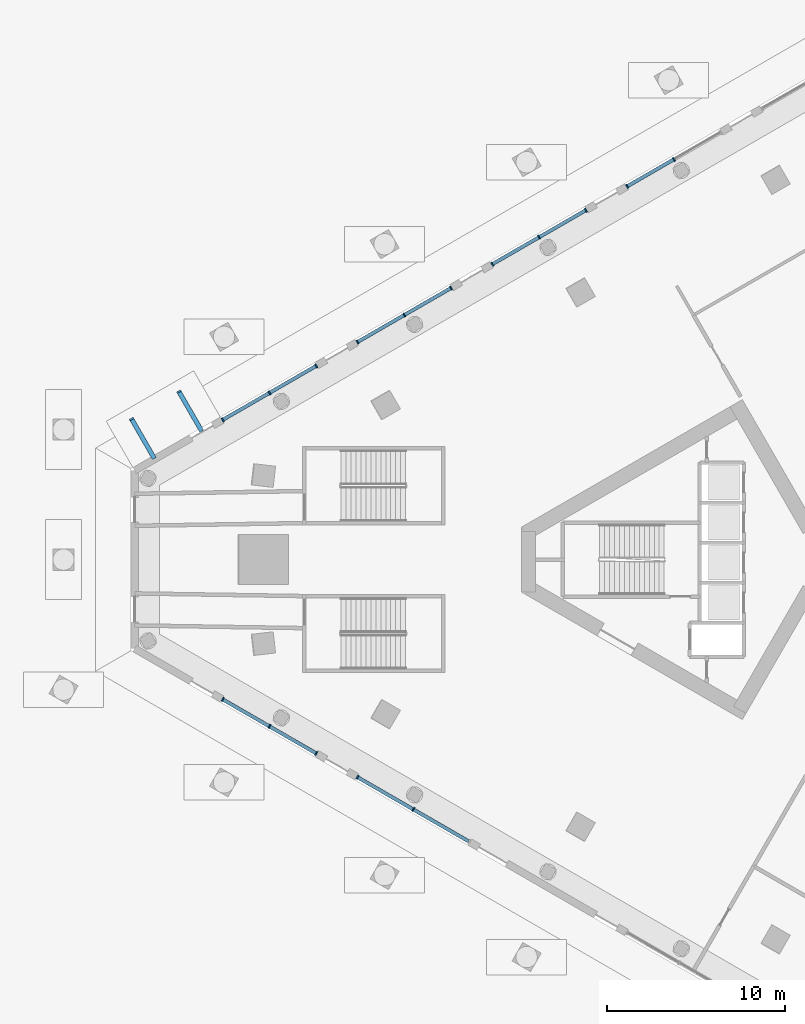
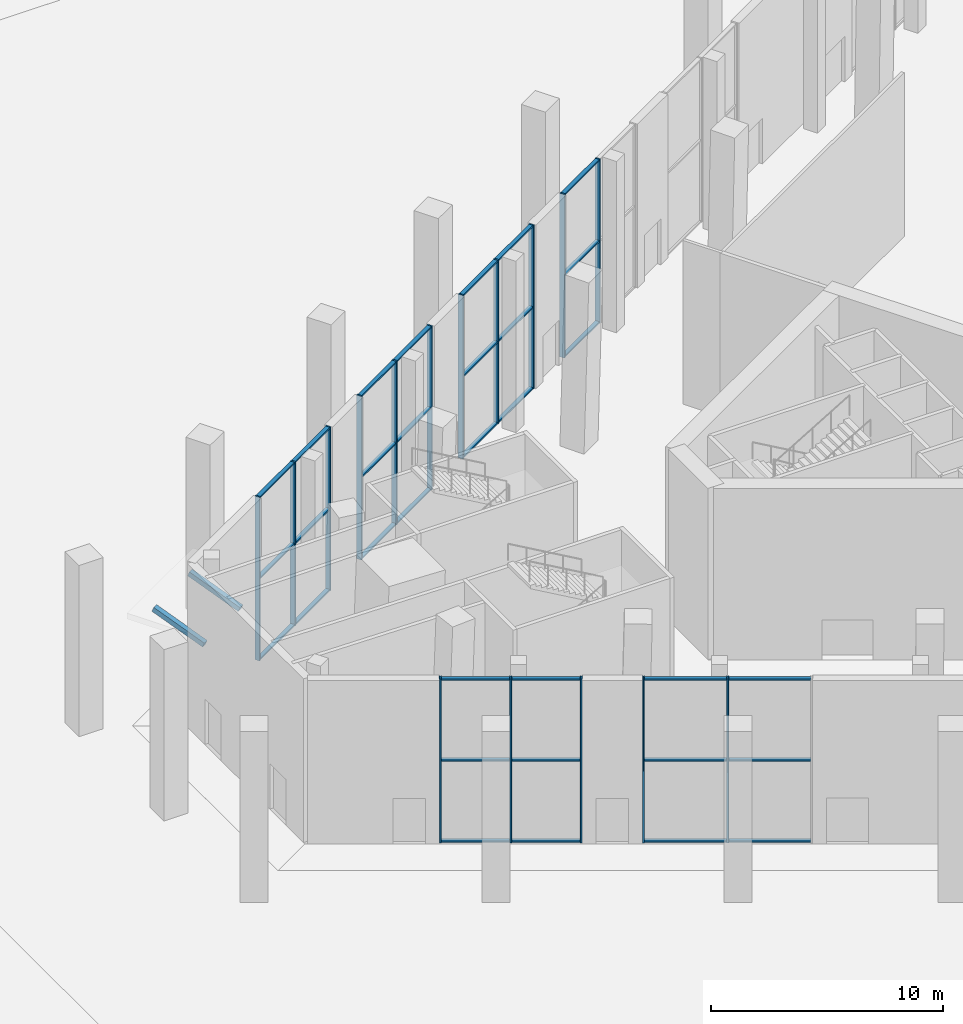
# One storey, part 11 of 63: 51 members, 6 elements without a shape of their own.
"""IFC4 building model written with IfcOpenShell, lengths in metres."""

from ifc_helpers import new_model, si_unit, direction, frame, origin, origin_2d, place, context, subcontext, project, spatial, rectangle, extrude, material, layer, layer_set, material_profile, profile_set, type_object, element, aggregate, save


model = new_model("IFC4")

# Units and contexts
model_context = context("Model", 3, precision=1e-05, world=origin(), true_north=direction((0.0, 1.0)))
body_context = subcontext(model_context, "Body", "Model", "MODEL_VIEW")
ifc_project = project(units=[si_unit("LENGTHUNIT", "METRE"), si_unit("AREAUNIT", "SQUARE_METRE"), si_unit("VOLUMEUNIT", "CUBIC_METRE"), si_unit("PLANEANGLEUNIT", "RADIAN"), si_unit("MASSUNIT", "GRAM", prefix="KILO")], contexts=[model_context])

# Site, building, storey
site_placement = place(None, origin())
site = spatial("IfcSite", under=ifc_project, at=site_placement, CompositionType="ELEMENT")
building_placement = place(site_placement, origin())
building = spatial("IfcBuilding", under=site, at=building_placement, Name="Jabali Bay Hotel Tower and Convention Centre", CompositionType="ELEMENT")
storey_placement = place(building_placement, origin())
storey = spatial("IfcBuildingStorey", under=building, at=storey_placement, Name="L00", CompositionType="ELEMENT", Elevation=0.0)

# Curtain wall, members
ifc_material_1 = material(Name="Aluminium and glass", Category="aluminium")
ifc_layer = layer(ifc_material_1, 0.239990234375)
ifc_layer_set = layer_set([ifc_layer], Name="Aluminium and glass")
curtain_wall_type = type_object("IfcCurtainWallType", Name="CW2 curtain wall", PredefinedType="NOTDEFINED", material=ifc_layer_set)
curtain_wall_1_placement = place(storey_placement, origin())
curtain_wall_1 = element("IfcCurtainWall", 1, at=curtain_wall_1_placement, inside=storey, type_object=curtain_wall_type, Name="CW2 curtain wall north-west face L00", PredefinedType="NOTDEFINED")
ifc_material_2 = material(Name="Aluminium", Category="aluminium")
ifc_material_profile_1 = material_profile(ifc_material_2, rectangle(XDim=0.239990234375, YDim=0.080078125, at=origin_2d()), Name="CW2 mullion 80 x 240")
ifc_profile_set_1 = profile_set([ifc_material_profile_1], Name="Aluminium")
member_type_1 = type_object("IfcMemberType", Name="CW2 mullion 80 x 240", PredefinedType="MULLION", material=ifc_profile_set_1)
member_1_placement = place(storey_placement, frame((54.3349609375, 100.97802734375, 0.0), z_axis=(0.0, 0.0, 1.0), x_axis=(-0.499999999441, 0.866025404107, 0.0)))
member_1 = element("IfcMember", 2, at=member_1_placement, type_object=member_type_1, Name="CW2 mullion 1", PredefinedType="MULLION", context=body_context, shape_type="SweptSolid", body=[
    extrude(rectangle(XDim=0.239990234375, YDim=0.080078125, at=origin_2d()), origin(), (0.0, 0.0, 1.0), 8.60009765625),
])
member_2_placement = place(storey_placement, frame((56.962158203125, 102.494873046875, 0.0), z_axis=(0.0, 0.0, 1.0), x_axis=(-0.499999999441, 0.866025404107, 0.0)))
member_2 = element("IfcMember", 3, at=member_2_placement, type_object=member_type_1, Name="CW2 mullion 2", PredefinedType="MULLION", context=body_context, shape_type="SweptSolid", body=[
    extrude(rectangle(XDim=0.239990234375, YDim=0.080078125, at=origin_2d()), origin(), (0.0, 0.0, 1.0), 8.60009765625),
])

curtain_wall_2_placement = place(storey_placement, origin())
curtain_wall_2 = element("IfcCurtainWall", 4, at=curtain_wall_2_placement, inside=storey, type_object=curtain_wall_type, Name="CW2 curtain wall north-west face L00", PredefinedType="NOTDEFINED")
member_3_placement = place(storey_placement, frame((46.759521484375, 96.604248046875, 0.0), z_axis=(0.0, 0.0, 1.0), x_axis=(-0.499999999441, 0.866025404107, 0.0)))
member_3 = element("IfcMember", 5, at=member_3_placement, type_object=member_type_1, Name="CW2 mullion 1", PredefinedType="MULLION", context=body_context, shape_type="SweptSolid", body=[
    extrude(rectangle(XDim=0.239990234375, YDim=0.080078125, at=origin_2d()), origin(), (0.0, 0.0, 1.0), 8.60009765625),
])
member_4_placement = place(storey_placement, frame((49.38671875, 98.12109375, 0.0), z_axis=(0.0, 0.0, 1.0), x_axis=(-0.499999999441, 0.866025404107, 0.0)))
member_4 = element("IfcMember", 6, at=member_4_placement, type_object=member_type_1, Name="CW2 mullion 2", PredefinedType="MULLION", context=body_context, shape_type="SweptSolid", body=[
    extrude(rectangle(XDim=0.239990234375, YDim=0.080078125, at=origin_2d()), origin(), (0.0, 0.0, 1.0), 8.60009765625),
])
member_5_placement = place(storey_placement, frame((52.013916015625, 99.637939453125, 0.0), z_axis=(0.0, 0.0, 1.0), x_axis=(-0.499999999441, 0.866025404107, 0.0)))
member_5 = element("IfcMember", 7, at=member_5_placement, type_object=member_type_1, Name="CW2 mullion 3", PredefinedType="MULLION", context=body_context, shape_type="SweptSolid", body=[
    extrude(rectangle(XDim=0.239990234375, YDim=0.080078125, at=origin_2d()), origin(), (0.0, 0.0, 1.0), 8.60009765625),
])

curtain_wall_3_placement = place(storey_placement, origin())
curtain_wall_3 = element("IfcCurtainWall", 8, at=curtain_wall_3_placement, inside=storey, type_object=curtain_wall_type, Name="CW2 curtain wall north-west face L00", PredefinedType="NOTDEFINED")
member_6_placement = place(storey_placement, frame((39.18408203125, 92.23046875, 0.0), z_axis=(0.0, 0.0, 1.0), x_axis=(-0.499999999441, 0.866025404107, 0.0)))
member_6 = element("IfcMember", 9, at=member_6_placement, type_object=member_type_1, Name="CW2 mullion 1", PredefinedType="MULLION", context=body_context, shape_type="SweptSolid", body=[
    extrude(rectangle(XDim=0.239990234375, YDim=0.080078125, at=origin_2d()), origin(), (0.0, 0.0, 1.0), 8.60009765625),
])
member_7_placement = place(storey_placement, frame((41.811279296875, 93.747314453125, 0.0), z_axis=(0.0, 0.0, 1.0), x_axis=(-0.499999999441, 0.866025404107, 0.0)))
member_7 = element("IfcMember", 10, at=member_7_placement, type_object=member_type_1, Name="CW2 mullion 2", PredefinedType="MULLION", context=body_context, shape_type="SweptSolid", body=[
    extrude(rectangle(XDim=0.239990234375, YDim=0.080078125, at=origin_2d()), origin(), (0.0, 0.0, 1.0), 8.60009765625),
])
member_8_placement = place(storey_placement, frame((44.4384765625, 95.264404296875, 0.0), z_axis=(0.0, 0.0, 1.0), x_axis=(-0.499999999441, 0.866025404107, 0.0)))
member_8 = element("IfcMember", 11, at=member_8_placement, type_object=member_type_1, Name="CW2 mullion 3", PredefinedType="MULLION", context=body_context, shape_type="SweptSolid", body=[
    extrude(rectangle(XDim=0.239990234375, YDim=0.080078125, at=origin_2d()), origin(), (0.0, 0.0, 1.0), 8.60009765625),
])

curtain_wall_4_placement = place(storey_placement, origin())
curtain_wall_4 = element("IfcCurtainWall", 12, at=curtain_wall_4_placement, inside=storey, type_object=curtain_wall_type, Name="CW2 curtain wall north-west face L00", PredefinedType="NOTDEFINED")
member_9_placement = place(storey_placement, frame((31.6083984375, 87.85693359375, 0.0), z_axis=(0.0, 0.0, 1.0), x_axis=(-0.499999999441, 0.866025404107, 0.0)))
member_9 = element("IfcMember", 13, at=member_9_placement, type_object=member_type_1, Name="CW2 mullion 1", PredefinedType="MULLION", context=body_context, shape_type="SweptSolid", body=[
    extrude(rectangle(XDim=0.239990234375, YDim=0.080078125, at=origin_2d()), origin(), (0.0, 0.0, 1.0), 8.60009765625),
])
member_10_placement = place(storey_placement, frame((34.23583984375, 89.373779296875, 0.0), z_axis=(0.0, 0.0, 1.0), x_axis=(-0.499999999441, 0.866025404107, 0.0)))
member_10 = element("IfcMember", 14, at=member_10_placement, type_object=member_type_1, Name="CW2 mullion 2", PredefinedType="MULLION", context=body_context, shape_type="SweptSolid", body=[
    extrude(rectangle(XDim=0.239990234375, YDim=0.080078125, at=origin_2d()), origin(), (0.0, 0.0, 1.0), 8.60009765625),
])
member_11_placement = place(storey_placement, frame((36.863037109375, 90.890625, 0.0), z_axis=(0.0, 0.0, 1.0), x_axis=(-0.499999999441, 0.866025404107, 0.0)))
member_11 = element("IfcMember", 15, at=member_11_placement, type_object=member_type_1, Name="CW2 mullion 3", PredefinedType="MULLION", context=body_context, shape_type="SweptSolid", body=[
    extrude(rectangle(XDim=0.239990234375, YDim=0.080078125, at=origin_2d()), origin(), (0.0, 0.0, 1.0), 8.60009765625),
])

curtain_wall_5_placement = place(storey_placement, origin())
curtain_wall_5 = element("IfcCurtainWall", 16, at=curtain_wall_5_placement, inside=storey, type_object=curtain_wall_type, Name="CW2 curtain wall south-west face L00", PredefinedType="NOTDEFINED")
member_12_placement = place(storey_placement, frame((36.863037109375, 69.109375, 0.0), z_axis=(0.0, 0.0, 1.0), x_axis=(-0.499999999441, -0.866025404107, 0.0)))
member_12 = element("IfcMember", 17, at=member_12_placement, type_object=member_type_1, Name="CW2 mullion 1", PredefinedType="MULLION", context=body_context, shape_type="SweptSolid", body=[
    extrude(rectangle(XDim=0.239990234375, YDim=0.080078125, at=origin_2d()), origin(), (0.0, 0.0, 1.0), 8.60009765625),
])
member_13_placement = place(storey_placement, frame((34.23583984375, 70.626220703125, 0.0), z_axis=(0.0, 0.0, 1.0), x_axis=(-0.499999999441, -0.866025404107, 0.0)))
member_13 = element("IfcMember", 18, at=member_13_placement, type_object=member_type_1, Name="CW2 mullion 2", PredefinedType="MULLION", context=body_context, shape_type="SweptSolid", body=[
    extrude(rectangle(XDim=0.239990234375, YDim=0.080078125, at=origin_2d()), origin(), (0.0, 0.0, 1.0), 8.60009765625),
])
member_14_placement = place(storey_placement, frame((31.6083984375, 72.14306640625, 0.0), z_axis=(0.0, 0.0, 1.0), x_axis=(-0.499999999441, -0.866025404107, 0.0)))
member_14 = element("IfcMember", 19, at=member_14_placement, type_object=member_type_1, Name="CW2 mullion 3", PredefinedType="MULLION", context=body_context, shape_type="SweptSolid", body=[
    extrude(rectangle(XDim=0.239990234375, YDim=0.080078125, at=origin_2d()), origin(), (0.0, 0.0, 1.0), 8.60009765625),
])

curtain_wall_6_placement = place(storey_placement, origin())
curtain_wall_6 = element("IfcCurtainWall", 20, at=curtain_wall_6_placement, inside=storey, type_object=curtain_wall_type, Name="CW2 curtain wall south-west face L00", PredefinedType="NOTDEFINED")
member_15_placement = place(storey_placement, frame((42.320068359375, 65.958740234375, 0.0), z_axis=(0.0, 0.0, 1.0), x_axis=(-0.499999999441, -0.866025404107, 0.0)))
member_15 = element("IfcMember", 21, at=member_15_placement, type_object=member_type_1, Name="CW2 mullion 2", PredefinedType="MULLION", context=body_context, shape_type="SweptSolid", body=[
    extrude(rectangle(XDim=0.239990234375, YDim=0.080078125, at=origin_2d()), origin(), (0.0, 0.0, 1.0), 8.60009765625),
])
member_16_placement = place(storey_placement, frame((39.18408203125, 67.76953125, 0.0), z_axis=(0.0, 0.0, 1.0), x_axis=(-0.499999999441, -0.866025404107, 0.0)))
member_16 = element("IfcMember", 22, at=member_16_placement, type_object=member_type_1, Name="CW2 mullion 3", PredefinedType="MULLION", context=body_context, shape_type="SweptSolid", body=[
    extrude(rectangle(XDim=0.239990234375, YDim=0.080078125, at=origin_2d()), origin(), (0.0, 0.0, 1.0), 8.60009765625),
])

# Member
ifc_material_profile_2 = material_profile(ifc_material_2, rectangle(XDim=0.199951171875, YDim=0.080078125, at=origin_2d()), Name="CW2 transom 80 x 200")
ifc_profile_set_2 = profile_set([ifc_material_profile_2], Name="Aluminium")
member_type_2 = type_object("IfcMemberType", Name="CW2 transom 80 x 200", PredefinedType="USERDEFINED", material=ifc_profile_set_2)
member_17_placement = place(storey_placement, frame((54.36962890625, 100.998046875, 0.0400390625), z_axis=(0.866021780494, 0.500006275671, 0.0), x_axis=(-0.500006275671, 0.866021780494, 0.0)))
member_17 = element("IfcMember", 23, at=member_17_placement, type_object=member_type_2, Name="CW2 transom 1.1", ObjectType="TRANSOM", PredefinedType="USERDEFINED", context=body_context, shape_type="SweptSolid", body=[
    extrude(rectangle(XDim=0.199951171875, YDim=0.080078125, at=origin_2d()), origin(), (0.0, 0.0, 1.0), 2.95361328125),
])

member_18_placement = place(storey_placement, frame((54.36962890625, 100.998046875, 4.300048828125), z_axis=(0.866021780494, 0.500006275671, 0.0), x_axis=(-0.500006275671, 0.866021780494, 0.0)))
member_18 = element("IfcMember", 24, at=member_18_placement, type_object=member_type_2, Name="CW2 transom 1.2", ObjectType="TRANSOM", PredefinedType="USERDEFINED", context=body_context, shape_type="SweptSolid", body=[
    extrude(rectangle(XDim=0.199951171875, YDim=0.080078125, at=origin_2d()), origin(), (0.0, 0.0, 1.0), 2.95361328125),
])

member_19_placement = place(storey_placement, frame((54.36962890625, 100.998046875, 8.56005859375), z_axis=(0.866021780494, 0.500006275671, 0.0), x_axis=(-0.500006275671, 0.866021780494, 0.0)))
member_19 = element("IfcMember", 25, at=member_19_placement, type_object=member_type_2, Name="CW2 transom 1.3", ObjectType="TRANSOM", PredefinedType="USERDEFINED", context=body_context, shape_type="SweptSolid", body=[
    extrude(rectangle(XDim=0.199951171875, YDim=0.080078125, at=origin_2d()), origin(), (0.0, 0.0, 1.0), 2.95361328125),
])

aggregate(curtain_wall_1, [member_1, member_2, member_17, member_18, member_19])

member_20_placement = place(storey_placement, frame((46.794189453125, 96.624267578125, 0.0400390625), z_axis=(0.866021780494, 0.500006275671, 0.0), x_axis=(-0.500006275671, 0.866021780494, 0.0)))
member_20 = element("IfcMember", 26, at=member_20_placement, type_object=member_type_2, Name="CW2 transom 1.1", ObjectType="TRANSOM", PredefinedType="USERDEFINED", context=body_context, shape_type="SweptSolid", body=[
    extrude(rectangle(XDim=0.199951171875, YDim=0.080078125, at=origin_2d()), origin(), (0.0, 0.0, 1.0), 2.95361328125),
])

member_21_placement = place(storey_placement, frame((46.794189453125, 96.624267578125, 4.300048828125), z_axis=(0.866021780494, 0.500006275671, 0.0), x_axis=(-0.500006275671, 0.866021780494, 0.0)))
member_21 = element("IfcMember", 27, at=member_21_placement, type_object=member_type_2, Name="CW2 transom 1.2", ObjectType="TRANSOM", PredefinedType="USERDEFINED", context=body_context, shape_type="SweptSolid", body=[
    extrude(rectangle(XDim=0.199951171875, YDim=0.080078125, at=origin_2d()), origin(), (0.0, 0.0, 1.0), 2.95361328125),
])

member_22_placement = place(storey_placement, frame((46.794189453125, 96.624267578125, 8.56005859375), z_axis=(0.866021780494, 0.500006275671, 0.0), x_axis=(-0.500006275671, 0.866021780494, 0.0)))
member_22 = element("IfcMember", 28, at=member_22_placement, type_object=member_type_2, Name="CW2 transom 1.3", ObjectType="TRANSOM", PredefinedType="USERDEFINED", context=body_context, shape_type="SweptSolid", body=[
    extrude(rectangle(XDim=0.199951171875, YDim=0.080078125, at=origin_2d()), origin(), (0.0, 0.0, 1.0), 2.95361328125),
])

member_23_placement = place(storey_placement, frame((49.42138671875, 98.14111328125, 0.0400390625), z_axis=(0.866042443626, 0.499970484968, 0.0), x_axis=(-0.499970484968, 0.866042443626, 0.0)))
member_23 = element("IfcMember", 29, at=member_23_placement, type_object=member_type_2, Name="CW2 transom 2.1", ObjectType="TRANSOM", PredefinedType="USERDEFINED", context=body_context, shape_type="SweptSolid", body=[
    extrude(rectangle(XDim=0.199951171875, YDim=0.080078125, at=origin_2d()), origin(), (0.0, 0.0, 1.0), 2.953857421875),
])

member_24_placement = place(storey_placement, frame((49.42138671875, 98.14111328125, 4.300048828125), z_axis=(0.866042443626, 0.499970484968, 0.0), x_axis=(-0.499970484968, 0.866042443626, 0.0)))
member_24 = element("IfcMember", 30, at=member_24_placement, type_object=member_type_2, Name="CW2 transom 2.2", ObjectType="TRANSOM", PredefinedType="USERDEFINED", context=body_context, shape_type="SweptSolid", body=[
    extrude(rectangle(XDim=0.199951171875, YDim=0.080078125, at=origin_2d()), origin(), (0.0, 0.0, 1.0), 2.953857421875),
])

member_25_placement = place(storey_placement, frame((49.42138671875, 98.14111328125, 8.56005859375), z_axis=(0.866042443626, 0.499970484968, 0.0), x_axis=(-0.499970484968, 0.866042443626, 0.0)))
member_25 = element("IfcMember", 31, at=member_25_placement, type_object=member_type_2, Name="CW2 transom 2.3", ObjectType="TRANSOM", PredefinedType="USERDEFINED", context=body_context, shape_type="SweptSolid", body=[
    extrude(rectangle(XDim=0.199951171875, YDim=0.080078125, at=origin_2d()), origin(), (0.0, 0.0, 1.0), 2.953857421875),
])

aggregate(curtain_wall_2, [member_3, member_4, member_5, member_20, member_21, member_22, member_23, member_24, member_25])

member_26_placement = place(storey_placement, frame((39.218505859375, 92.25048828125, 0.0400390625), z_axis=(0.866006654318, 0.500032473623, 0.0), x_axis=(-0.500032473623, 0.866006654318, 0.0)))
member_26 = element("IfcMember", 32, at=member_26_placement, type_object=member_type_2, Name="CW2 transom 1.1", ObjectType="TRANSOM", PredefinedType="USERDEFINED", context=body_context, shape_type="SweptSolid", body=[
    extrude(rectangle(XDim=0.199951171875, YDim=0.080078125, at=origin_2d()), origin(), (0.0, 0.0, 1.0), 2.953857421875),
])

member_27_placement = place(storey_placement, frame((39.218505859375, 92.25048828125, 4.300048828125), z_axis=(0.866006654318, 0.500032473623, 0.0), x_axis=(-0.500032473623, 0.866006654318, 0.0)))
member_27 = element("IfcMember", 33, at=member_27_placement, type_object=member_type_2, Name="CW2 transom 1.2", ObjectType="TRANSOM", PredefinedType="USERDEFINED", context=body_context, shape_type="SweptSolid", body=[
    extrude(rectangle(XDim=0.199951171875, YDim=0.080078125, at=origin_2d()), origin(), (0.0, 0.0, 1.0), 2.953857421875),
])

member_28_placement = place(storey_placement, frame((39.218505859375, 92.25048828125, 8.56005859375), z_axis=(0.866006654318, 0.500032473623, 0.0), x_axis=(-0.500032473623, 0.866006654318, 0.0)))
member_28 = element("IfcMember", 34, at=member_28_placement, type_object=member_type_2, Name="CW2 transom 1.3", ObjectType="TRANSOM", PredefinedType="USERDEFINED", context=body_context, shape_type="SweptSolid", body=[
    extrude(rectangle(XDim=0.199951171875, YDim=0.080078125, at=origin_2d()), origin(), (0.0, 0.0, 1.0), 2.953857421875),
])

member_29_placement = place(storey_placement, frame((41.845947265625, 93.767333984375, 0.0400390625), z_axis=(0.865985986916, 0.500068265805, 0.0), x_axis=(-0.500068265805, 0.865985986916, 0.0)))
member_29 = element("IfcMember", 35, at=member_29_placement, type_object=member_type_2, Name="CW2 transom 2.1", ObjectType="TRANSOM", PredefinedType="USERDEFINED", context=body_context, shape_type="SweptSolid", body=[
    extrude(rectangle(XDim=0.199951171875, YDim=0.080078125, at=origin_2d()), origin(), (0.0, 0.0, 1.0), 2.95361328125),
])

member_30_placement = place(storey_placement, frame((41.845947265625, 93.767333984375, 4.300048828125), z_axis=(0.865985986916, 0.500068265805, 0.0), x_axis=(-0.500068265805, 0.865985986916, 0.0)))
member_30 = element("IfcMember", 36, at=member_30_placement, type_object=member_type_2, Name="CW2 transom 2.2", ObjectType="TRANSOM", PredefinedType="USERDEFINED", context=body_context, shape_type="SweptSolid", body=[
    extrude(rectangle(XDim=0.199951171875, YDim=0.080078125, at=origin_2d()), origin(), (0.0, 0.0, 1.0), 2.95361328125),
])

member_31_placement = place(storey_placement, frame((41.845947265625, 93.767333984375, 8.56005859375), z_axis=(0.865985986916, 0.500068265805, 0.0), x_axis=(-0.500068265805, 0.865985986916, 0.0)))
member_31 = element("IfcMember", 37, at=member_31_placement, type_object=member_type_2, Name="CW2 transom 2.3", ObjectType="TRANSOM", PredefinedType="USERDEFINED", context=body_context, shape_type="SweptSolid", body=[
    extrude(rectangle(XDim=0.199951171875, YDim=0.080078125, at=origin_2d()), origin(), (0.0, 0.0, 1.0), 2.95361328125),
])

aggregate(curtain_wall_3, [member_6, member_7, member_8, member_26, member_27, member_28, member_29, member_30, member_31])

member_32_placement = place(storey_placement, frame((31.64306640625, 87.876953125, 0.0400390625), z_axis=(0.866042443626, 0.499970484968, 0.0), x_axis=(-0.499970484968, 0.866042443626, 0.0)))
member_32 = element("IfcMember", 38, at=member_32_placement, type_object=member_type_2, Name="CW2 transom 1.1", ObjectType="TRANSOM", PredefinedType="USERDEFINED", context=body_context, shape_type="SweptSolid", body=[
    extrude(rectangle(XDim=0.199951171875, YDim=0.080078125, at=origin_2d()), origin(), (0.0, 0.0, 1.0), 2.953857421875),
])

member_33_placement = place(storey_placement, frame((31.64306640625, 87.876953125, 4.300048828125), z_axis=(0.866042443626, 0.499970484968, 0.0), x_axis=(-0.499970484968, 0.866042443626, 0.0)))
member_33 = element("IfcMember", 39, at=member_33_placement, type_object=member_type_2, Name="CW2 transom 1.2", ObjectType="TRANSOM", PredefinedType="USERDEFINED", context=body_context, shape_type="SweptSolid", body=[
    extrude(rectangle(XDim=0.199951171875, YDim=0.080078125, at=origin_2d()), origin(), (0.0, 0.0, 1.0), 2.953857421875),
])

member_34_placement = place(storey_placement, frame((31.64306640625, 87.876953125, 8.56005859375), z_axis=(0.866042443626, 0.499970484968, 0.0), x_axis=(-0.499970484968, 0.866042443626, 0.0)))
member_34 = element("IfcMember", 40, at=member_34_placement, type_object=member_type_2, Name="CW2 transom 1.3", ObjectType="TRANSOM", PredefinedType="USERDEFINED", context=body_context, shape_type="SweptSolid", body=[
    extrude(rectangle(XDim=0.199951171875, YDim=0.080078125, at=origin_2d()), origin(), (0.0, 0.0, 1.0), 2.953857421875),
])

member_35_placement = place(storey_placement, frame((34.2705078125, 89.393798828125, 0.0400390625), z_axis=(0.866021780494, 0.500006275671, 0.0), x_axis=(-0.500006275671, 0.866021780494, 0.0)))
member_35 = element("IfcMember", 41, at=member_35_placement, type_object=member_type_2, Name="CW2 transom 2.1", ObjectType="TRANSOM", PredefinedType="USERDEFINED", context=body_context, shape_type="SweptSolid", body=[
    extrude(rectangle(XDim=0.199951171875, YDim=0.080078125, at=origin_2d()), origin(), (0.0, 0.0, 1.0), 2.95361328125),
])

member_36_placement = place(storey_placement, frame((34.2705078125, 89.393798828125, 4.300048828125), z_axis=(0.866021780494, 0.500006275671, 0.0), x_axis=(-0.500006275671, 0.866021780494, 0.0)))
member_36 = element("IfcMember", 42, at=member_36_placement, type_object=member_type_2, Name="CW2 transom 2.2", ObjectType="TRANSOM", PredefinedType="USERDEFINED", context=body_context, shape_type="SweptSolid", body=[
    extrude(rectangle(XDim=0.199951171875, YDim=0.080078125, at=origin_2d()), origin(), (0.0, 0.0, 1.0), 2.95361328125),
])

member_37_placement = place(storey_placement, frame((34.2705078125, 89.393798828125, 8.56005859375), z_axis=(0.866021780494, 0.500006275671, 0.0), x_axis=(-0.500006275671, 0.866021780494, 0.0)))
member_37 = element("IfcMember", 43, at=member_37_placement, type_object=member_type_2, Name="CW2 transom 2.3", ObjectType="TRANSOM", PredefinedType="USERDEFINED", context=body_context, shape_type="SweptSolid", body=[
    extrude(rectangle(XDim=0.199951171875, YDim=0.080078125, at=origin_2d()), origin(), (0.0, 0.0, 1.0), 2.95361328125),
])

aggregate(curtain_wall_4, [member_9, member_10, member_11, member_32, member_33, member_34, member_35, member_36, member_37])

member_38_placement = place(storey_placement, frame((36.828369140625, 69.12939453125, 0.0400390625), z_axis=(-0.866021780494, 0.500006275671, 0.0), x_axis=(-0.500006275671, -0.866021780494, 0.0)))
member_38 = element("IfcMember", 44, at=member_38_placement, type_object=member_type_2, Name="CW2 transom 1.1", ObjectType="TRANSOM", PredefinedType="USERDEFINED", context=body_context, shape_type="SweptSolid", body=[
    extrude(rectangle(XDim=0.199951171875, YDim=0.080078125, at=origin_2d()), origin(), (0.0, 0.0, 1.0), 2.95361328125),
])

member_39_placement = place(storey_placement, frame((36.828369140625, 69.12939453125, 4.300048828125), z_axis=(-0.866021780494, 0.500006275671, 0.0), x_axis=(-0.500006275671, -0.866021780494, 0.0)))
member_39 = element("IfcMember", 45, at=member_39_placement, type_object=member_type_2, Name="CW2 transom 1.2", ObjectType="TRANSOM", PredefinedType="USERDEFINED", context=body_context, shape_type="SweptSolid", body=[
    extrude(rectangle(XDim=0.199951171875, YDim=0.080078125, at=origin_2d()), origin(), (0.0, 0.0, 1.0), 2.95361328125),
])

member_40_placement = place(storey_placement, frame((36.828369140625, 69.12939453125, 8.56005859375), z_axis=(-0.866021780494, 0.500006275671, 0.0), x_axis=(-0.500006275671, -0.866021780494, 0.0)))
member_40 = element("IfcMember", 46, at=member_40_placement, type_object=member_type_2, Name="CW2 transom 1.3", ObjectType="TRANSOM", PredefinedType="USERDEFINED", context=body_context, shape_type="SweptSolid", body=[
    extrude(rectangle(XDim=0.199951171875, YDim=0.080078125, at=origin_2d()), origin(), (0.0, 0.0, 1.0), 2.95361328125),
])

member_41_placement = place(storey_placement, frame((34.201171875, 70.646240234375, 0.0400390625), z_axis=(-0.866042443626, 0.499970484968, 0.0), x_axis=(-0.499970484968, -0.866042443626, 0.0)))
member_41 = element("IfcMember", 47, at=member_41_placement, type_object=member_type_2, Name="CW2 transom 2.1", ObjectType="TRANSOM", PredefinedType="USERDEFINED", context=body_context, shape_type="SweptSolid", body=[
    extrude(rectangle(XDim=0.199951171875, YDim=0.080078125, at=origin_2d()), origin(), (0.0, 0.0, 1.0), 2.953857421875),
])

member_42_placement = place(storey_placement, frame((34.201171875, 70.646240234375, 4.300048828125), z_axis=(-0.866042443626, 0.499970484968, 0.0), x_axis=(-0.499970484968, -0.866042443626, 0.0)))
member_42 = element("IfcMember", 48, at=member_42_placement, type_object=member_type_2, Name="CW2 transom 2.2", ObjectType="TRANSOM", PredefinedType="USERDEFINED", context=body_context, shape_type="SweptSolid", body=[
    extrude(rectangle(XDim=0.199951171875, YDim=0.080078125, at=origin_2d()), origin(), (0.0, 0.0, 1.0), 2.953857421875),
])

member_43_placement = place(storey_placement, frame((34.201171875, 70.646240234375, 8.56005859375), z_axis=(-0.866042443626, 0.499970484968, 0.0), x_axis=(-0.499970484968, -0.866042443626, 0.0)))
member_43 = element("IfcMember", 49, at=member_43_placement, type_object=member_type_2, Name="CW2 transom 2.3", ObjectType="TRANSOM", PredefinedType="USERDEFINED", context=body_context, shape_type="SweptSolid", body=[
    extrude(rectangle(XDim=0.199951171875, YDim=0.080078125, at=origin_2d()), origin(), (0.0, 0.0, 1.0), 2.953857421875),
])

aggregate(curtain_wall_5, [member_12, member_13, member_14, member_38, member_39, member_40, member_41, member_42, member_43])

member_44_placement = place(storey_placement, frame((45.421630859375, 64.16796875, 0.0400390625), z_axis=(-0.866015674434, 0.500016851351, 0.0), x_axis=(-0.500016851351, -0.866015674434, 0.0)))
member_44 = element("IfcMember", 50, at=member_44_placement, type_object=member_type_2, Name="CW2 transom 1.1", ObjectType="TRANSOM", PredefinedType="USERDEFINED", context=body_context, shape_type="SweptSolid", body=[
    extrude(rectangle(XDim=0.199951171875, YDim=0.080078125, at=origin_2d()), origin(), (0.0, 0.0, 1.0), 3.54150390625),
])

member_45_placement = place(storey_placement, frame((45.421630859375, 64.16796875, 4.300048828125), z_axis=(-0.866015674434, 0.500016851351, 0.0), x_axis=(-0.500016851351, -0.866015674434, 0.0)))
member_45 = element("IfcMember", 51, at=member_45_placement, type_object=member_type_2, Name="CW2 transom 1.2", ObjectType="TRANSOM", PredefinedType="USERDEFINED", context=body_context, shape_type="SweptSolid", body=[
    extrude(rectangle(XDim=0.199951171875, YDim=0.080078125, at=origin_2d()), origin(), (0.0, 0.0, 1.0), 3.54150390625),
])

member_46_placement = place(storey_placement, frame((45.421630859375, 64.16796875, 8.56005859375), z_axis=(-0.866015674434, 0.500016851351, 0.0), x_axis=(-0.500016851351, -0.866015674434, 0.0)))
member_46 = element("IfcMember", 52, at=member_46_placement, type_object=member_type_2, Name="CW2 transom 1.3", ObjectType="TRANSOM", PredefinedType="USERDEFINED", context=body_context, shape_type="SweptSolid", body=[
    extrude(rectangle(XDim=0.199951171875, YDim=0.080078125, at=origin_2d()), origin(), (0.0, 0.0, 1.0), 3.54150390625),
])

member_47_placement = place(storey_placement, frame((42.285400390625, 65.978759765625, 0.0400390625), z_axis=(-0.866015674434, 0.500016851351, 0.0), x_axis=(-0.500016851351, -0.866015674434, 0.0)))
member_47 = element("IfcMember", 53, at=member_47_placement, type_object=member_type_2, Name="CW2 transom 2.1", ObjectType="TRANSOM", PredefinedType="USERDEFINED", context=body_context, shape_type="SweptSolid", body=[
    extrude(rectangle(XDim=0.199951171875, YDim=0.080078125, at=origin_2d()), origin(), (0.0, 0.0, 1.0), 3.54150390625),
])

member_48_placement = place(storey_placement, frame((42.285400390625, 65.978759765625, 4.300048828125), z_axis=(-0.866015674434, 0.500016851351, 0.0), x_axis=(-0.500016851351, -0.866015674434, 0.0)))
member_48 = element("IfcMember", 54, at=member_48_placement, type_object=member_type_2, Name="CW2 transom 2.2", ObjectType="TRANSOM", PredefinedType="USERDEFINED", context=body_context, shape_type="SweptSolid", body=[
    extrude(rectangle(XDim=0.199951171875, YDim=0.080078125, at=origin_2d()), origin(), (0.0, 0.0, 1.0), 3.54150390625),
])

member_49_placement = place(storey_placement, frame((42.285400390625, 65.978759765625, 8.56005859375), z_axis=(-0.866015674434, 0.500016851351, 0.0), x_axis=(-0.500016851351, -0.866015674434, 0.0)))
member_49 = element("IfcMember", 55, at=member_49_placement, type_object=member_type_2, Name="CW2 transom 2.3", ObjectType="TRANSOM", PredefinedType="USERDEFINED", context=body_context, shape_type="SweptSolid", body=[
    extrude(rectangle(XDim=0.199951171875, YDim=0.080078125, at=origin_2d()), origin(), (0.0, 0.0, 1.0), 3.54150390625),
])

aggregate(curtain_wall_6, [member_15, member_16, member_44, member_45, member_46, member_47, member_48, member_49])

# Members
ifc_material_3 = material(Name="Concrete C40", Category="concrete")
ifc_material_profile_3 = material_profile(ifc_material_3, rectangle(XDim=0.25, YDim=0.25, at=origin_2d()), Name="Canopy bracket 250 x 250")
ifc_profile_set_3 = profile_set([ifc_material_profile_3], Name="Concrete C40")
member_type_3 = type_object("IfcMemberType", Name="Canopy bracket 250 x 250", PredefinedType="BRACE", material=ifc_profile_set_3)
for number, where, z_axis, x_axis, name in (
    (56, (27.74609375, 85.71923828125, 3.5), (-0.4647496934, 0.804959796416, 0.368846104275), (-0.866022637375, -0.500004791531, 0.0), "Canopy bracket"),
    (57, (30.407958984375, 87.256103515625, 3.5), (-0.4647496934, 0.804959796416, 0.368846104275), (-0.866022637375, -0.500004791531, 0.0), "Canopy bracket"),
):
    element("IfcMember", number, at=place(storey_placement, frame(where, z_axis=z_axis, x_axis=x_axis)), inside=storey, type_object=member_type_3, Name=name, PredefinedType="BRACE", context=body_context, shape_type="SweptSolid", body=[
        extrude(rectangle(XDim=0.25, YDim=0.25, at=origin_2d()), origin(), (0.0, 0.0, 1.0), 2.711181640625),
    ])

save(model, "model.ifc")
